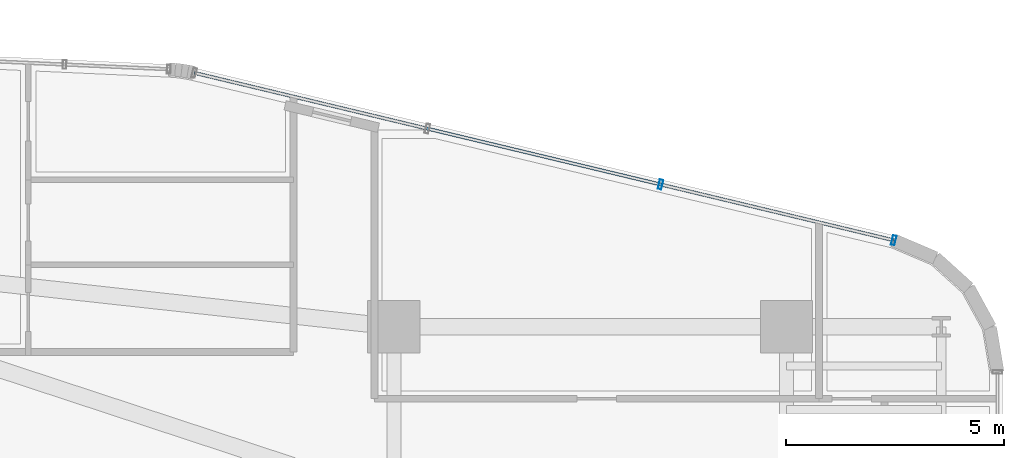
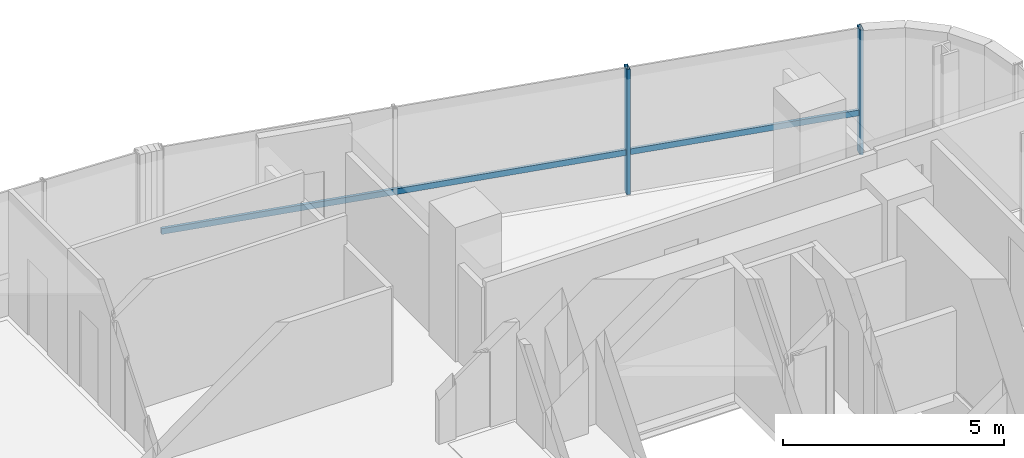
# One storey, part 25 of 37: 3 members, 1 element without a shape of its own.
"""IFC4 building model written with IfcOpenShell, lengths in metres."""

from ifc_helpers import new_model, si_unit, direction, frame, origin, origin_2d, place, context, subcontext, project, spatial, hollow_rectangle, extrude, source, transform, mapped, material, material_profile, profile_set, type_object, element, aggregate, save


model = new_model("IFC4")

# Units and contexts
model_context = context("Model", 3, precision=1e-05, world=origin(), true_north=direction((0.0, 1.0)))
body_context = subcontext(model_context, "Body", "Model", "MODEL_VIEW")
ifc_project = project(units=[si_unit("LENGTHUNIT", "METRE"), si_unit("AREAUNIT", "SQUARE_METRE"), si_unit("VOLUMEUNIT", "CUBIC_METRE"), si_unit("PLANEANGLEUNIT", "RADIAN"), si_unit("MASSUNIT", "GRAM", prefix="KILO")], contexts=[model_context])

# Site, building, storey
site_placement = place(None, origin())
site = spatial("IfcSite", under=ifc_project, at=site_placement, CompositionType="ELEMENT")
building_placement = place(site_placement, origin())
building = spatial("IfcBuilding", under=site, at=building_placement, Name="Valdorenza Pilgrim Sanctuary Tower", CompositionType="ELEMENT")
storey_placement = place(building_placement, frame((0.0, 0.0, 127.89990234375)))
storey = spatial("IfcBuildingStorey", under=building, at=storey_placement, Name="L32", CompositionType="ELEMENT", Elevation=127.89990234375)

# Curtain wall, members
ifc_material_1 = material(Name="Curtain-wall IGU glazing", Category="glass")
curtain_wall_type = type_object("IfcCurtainWallType", Name="CW-SYS-03", PredefinedType="NOTDEFINED", material=ifc_material_1)
curtain_wall_placement = place(storey_placement, origin())
curtain_wall = element("IfcCurtainWall", 1, at=curtain_wall_placement, inside=storey, type_object=curtain_wall_type, Name="L32 Curtain Wall CW-L32-1-16", PredefinedType="NOTDEFINED")
ifc_material_2 = material(Name="Anodised aluminium AW-6060", Category="aluminium")
ifc_material_profile_1 = material_profile(ifc_material_2, hollow_rectangle(XDim=0.0849609375, YDim=0.219970703125, WallThickness=0.0048828125, at=origin_2d()), Name="ALU-M 220x85x5")
ifc_profile_set_1 = profile_set([ifc_material_profile_1], Name="Anodised aluminium AW-6060")
member_type_1 = type_object("IfcMemberType", Name="CW-MUL-03", PredefinedType="MULLION", material=ifc_profile_set_1)
shared_shape_1 = source(origin(), body_context, "Body", "SweptSolid", [
    extrude(hollow_rectangle(XDim=0.0849609375, YDim=0.219970703125, WallThickness=0.0048828125, at=origin_2d()), origin(), (0.0, 0.0, 1.0), 3.460205078125),
])
member_1_placement = place(storey_placement, frame((21.964111328125, 16.7626953125, 0.0), z_axis=(0.0, 0.0, 1.0), x_axis=(0.972528596343, -0.232783438617, 0.0)))
member_1 = element("IfcMember", 2, at=member_1_placement, type_object=member_type_1, Name="CW-L32-1-16 Mullion 3", PredefinedType="MULLION", context=body_context, shape_type="MappedRepresentation", body=[
    mapped(shared_shape_1, transform((0.0, 0.0, 0.0), x_axis=(1.0, 0.0, 0.0), y_axis=(0.0, 1.0, 0.0), z_axis=(0.0, 0.0, 1.0), scale=1.0)),
])
member_2_placement = place(storey_placement, frame((27.310302734375, 15.48291015625, 0.0), z_axis=(0.0, 0.0, 1.0), x_axis=(0.972528596343, -0.232783438617, 0.0)))
member_2 = element("IfcMember", 3, at=member_2_placement, type_object=member_type_1, Name="CW-L32-1-16 Mullion 4", PredefinedType="MULLION", context=body_context, shape_type="MappedRepresentation", body=[
    mapped(shared_shape_1, transform((0.0, 0.0, 0.0), x_axis=(1.0, 0.0, 0.0), y_axis=(0.0, 1.0, 0.0), z_axis=(0.0, 0.0, 1.0), scale=1.0)),
])
ifc_material_profile_2 = material_profile(ifc_material_2, hollow_rectangle(XDim=0.074951171875, YDim=0.159912109375, WallThickness=0.00390625, at=origin_2d()), Name="ALU-T 160x75x4")
ifc_profile_set_2 = profile_set([ifc_material_profile_2], Name="Anodised aluminium AW-6060")
member_type_2 = type_object("IfcMemberType", Name="CW-TRN-03", PredefinedType="USERDEFINED", material=ifc_profile_set_2)
shared_shape_2 = source(origin(), body_context, "Body", "SweptSolid", [
    extrude(hollow_rectangle(XDim=0.074951171875, YDim=0.159912109375, WallThickness=0.00390625, at=origin_2d()), origin(), (0.0, 0.0, 1.0), 16.491943359375),
])
member_3_placement = place(storey_placement, frame((11.271484375, 19.322021484375, 1.1201171875), z_axis=(0.972527548122, -0.232787817859, 0.0), x_axis=(0.232787817859, 0.972527548122, 0.0)))
member_3 = element("IfcMember", 4, at=member_3_placement, type_object=member_type_2, Name="CW-L32-1-16 Transom 1", ObjectType="TRANSOM", PredefinedType="USERDEFINED", context=body_context, shape_type="MappedRepresentation", body=[
    mapped(shared_shape_2, transform((0.0, 0.0, 0.0), x_axis=(1.0, 0.0, 0.0), y_axis=(0.0, 1.0, 0.0), z_axis=(0.0, 0.0, 1.0), scale=1.0)),
])
aggregate(curtain_wall, [member_1, member_2, member_3])

save(model, "model.ifc")
